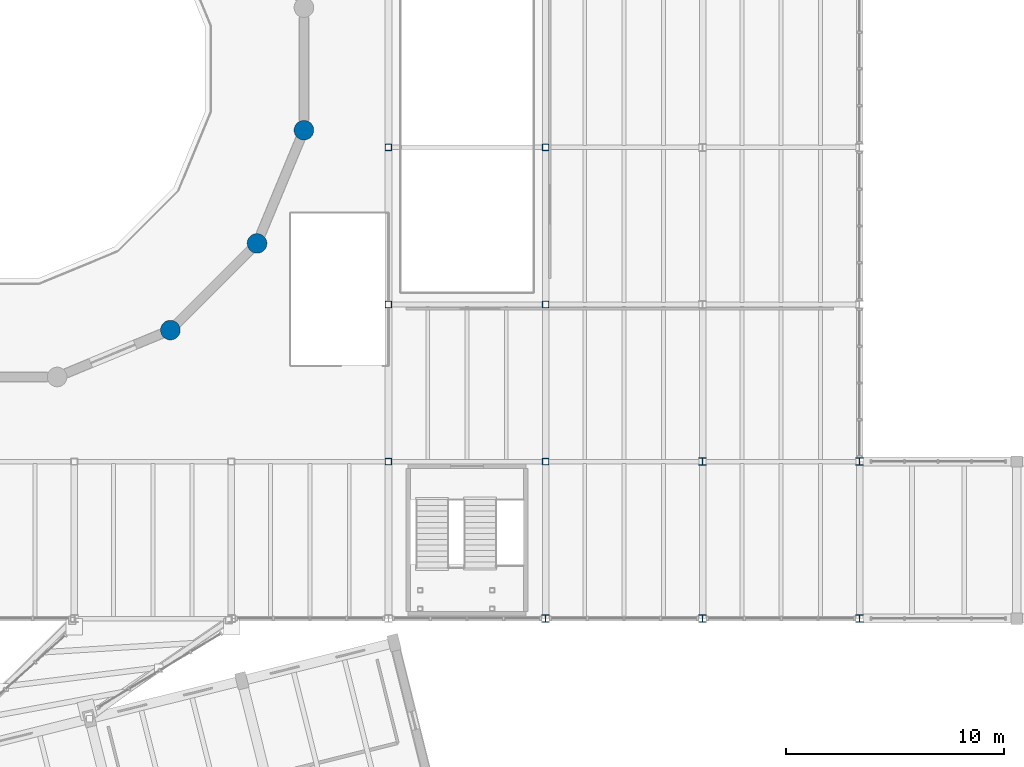
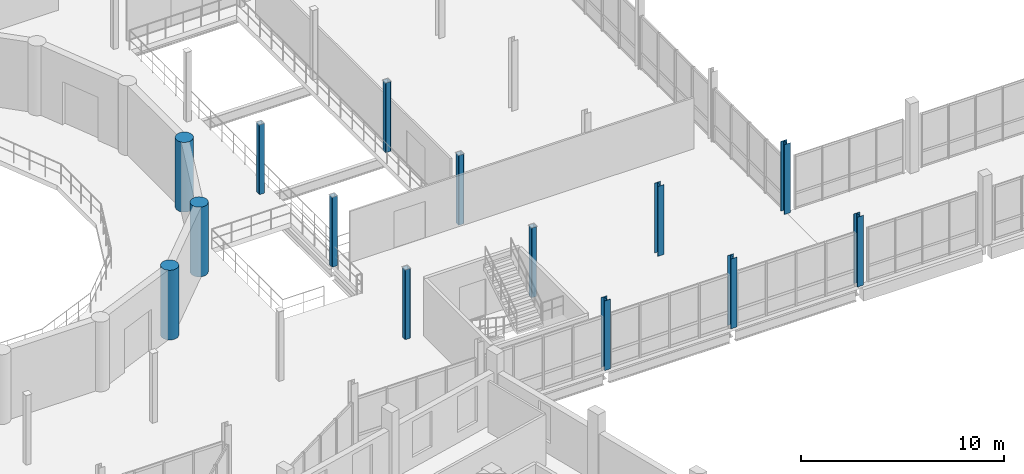
# One storey, part 7 of 72: 14 columns.
"""IFC4 building model written with IfcOpenShell, lengths in metres."""

from ifc_helpers import new_model, si_unit, direction, frame, origin, origin_2d, place, context, subcontext, project, spatial, hollow_rectangle, circle, i_section, extrude, material, material_profile, profile_set, type_object, element, save


model = new_model("IFC4")

# Units and contexts
model_context = context("Model", 3, precision=1e-05, world=origin(), true_north=direction((0.0, 1.0)))
body_context = subcontext(model_context, "Body", "Model", "MODEL_VIEW")
ifc_project = project(units=[si_unit("LENGTHUNIT", "METRE"), si_unit("AREAUNIT", "SQUARE_METRE"), si_unit("VOLUMEUNIT", "CUBIC_METRE"), si_unit("PLANEANGLEUNIT", "RADIAN"), si_unit("MASSUNIT", "GRAM", prefix="KILO")], contexts=[model_context])

# Site, building, storey
site_placement = place(None, origin())
site = spatial("IfcSite", under=ifc_project, at=site_placement, CompositionType="ELEMENT")
building_placement = place(site_placement, origin())
building = spatial("IfcBuilding", under=site, at=building_placement, Name="Qiaolan Assembly House", CompositionType="ELEMENT")
storey_placement = place(building_placement, frame((0.0, 0.0, 10.199951171875)))
storey = spatial("IfcBuildingStorey", under=building, at=storey_placement, Name="L02", CompositionType="ELEMENT", Elevation=10.199951171875)

# Columns
ifc_material_1 = material(Name="Concrete C50/60", Category="concrete")
ifc_material_profile_1 = material_profile(ifc_material_1, circle(Radius=0.449951171875, at=origin_2d()), Name="CIRC D900")
ifc_profile_set_1 = profile_set([ifc_material_profile_1], Name="Concrete C50/60")
column_type_1 = type_object("IfcColumnType", Name="COL-DRUM-D900", PredefinedType="COLUMN", material=ifc_profile_set_1)
for number, where, z_axis, x_axis, name in (
    (1, (76.400146484375, 49.226806640625, 0.0), (0.0, 0.0, 1.0), (1.0, 0.0, 0.0), "DC-03 chamber drum pier 14 L02"),
    (2, (80.373046875, 53.19970703125, 0.0), (0.0, 0.0, 1.0), (1.0, 0.0, 0.0), "DC-03 chamber drum pier 15 L02"),
    (3, (82.523193359375, 58.390625, 0.0), (0.0, 0.0, 1.0), (1.0, 0.0, 0.0), "DC-03 chamber drum pier 16 L02"),
):
    element("IfcColumn", number, at=place(storey_placement, frame(where, z_axis=z_axis, x_axis=x_axis)), inside=storey, type_object=column_type_1, Name=name, PredefinedType="COLUMN", context=body_context, shape_type="SweptSolid", body=[
        extrude(circle(Radius=0.449951171875, at=origin_2d()), origin(), (0.0, 0.0, 1.0), 4.199951171875),
    ])
ifc_material_2 = material(Name="Steel Q355B", Category="steel")
ifc_material_profile_2 = material_profile(ifc_material_2, i_section(OverallWidth=0.35009765625, OverallDepth=0.35009765625, WebThickness=0.011962890625, FlangeThickness=0.01904296875, FilletRadius=0.02001953125, at=origin_2d()), Name="HW 350x350x12x19")
ifc_profile_set_2 = profile_set([ifc_material_profile_2], Name="Steel Q355B")
column_type_2 = type_object("IfcColumnType", Name="COL-STL-HW350", PredefinedType="COLUMN", material=ifc_profile_set_2)
for number, where, z_axis, x_axis, name in (
    (4, (93.60009765625, 36.0, 0.0), (0.0, 0.0, 1.0), (1.0, 0.0, 0.0), "SC-02 hall column L02"),
    (5, (100.800048828125, 36.0, 0.0), (0.0, 0.0, 1.0), (1.0, 0.0, 0.0), "SC-02 hall column L02"),
    (6, (100.800048828125, 43.199951171875, 0.0), (0.0, 0.0, 1.0), (1.0, 0.0, 0.0), "SC-02 hall column L02"),
    (7, (108.0, 36.0, 0.0), (0.0, 0.0, 1.0), (1.0, 0.0, 0.0), "SC-02 hall column L02"),
    (8, (108.0, 43.199951171875, 0.0), (0.0, 0.0, 1.0), (1.0, 0.0, 0.0), "SC-02 hall column L02"),
):
    element("IfcColumn", number, at=place(storey_placement, frame(where, z_axis=z_axis, x_axis=x_axis)), inside=storey, type_object=column_type_2, Name=name, PredefinedType="COLUMN", context=body_context, shape_type="SweptSolid", body=[
        extrude(i_section(OverallWidth=0.35009765625, OverallDepth=0.35009765625, WebThickness=0.011962890625, FlangeThickness=0.01904296875, FilletRadius=0.02001953125, at=origin_2d()), origin(), (0.0, 0.0, 1.0), 4.199951171875),
    ])
ifc_material_profile_3 = material_profile(ifc_material_2, hollow_rectangle(XDim=0.300048828125, YDim=0.300048828125, WallThickness=0.011962890625, InnerFilletRadius=0.011962890625, OuterFilletRadius=0.02392578125, at=origin_2d()), Name="SHS 300x300x12")
ifc_profile_set_3 = profile_set([ifc_material_profile_3], Name="Steel Q355B")
column_type_3 = type_object("IfcColumnType", Name="COL-STL-SHS300", PredefinedType="COLUMN", material=ifc_profile_set_3)
for number, where, z_axis, x_axis, name in (
    (9, (86.39990234375, 43.199951171875, 0.0), (0.0, 0.0, 1.0), (1.0, 0.0, 0.0), "SC-05 hall column L02"),
    (10, (86.39990234375, 50.39990234375, 0.0), (0.0, 0.0, 1.0), (1.0, 0.0, 0.0), "SC-05 hall column L02"),
    (11, (86.39990234375, 57.60009765625, 0.0), (0.0, 0.0, 1.0), (1.0, 0.0, 0.0), "SC-05 hall column L02"),
    (12, (93.60009765625, 43.199951171875, 0.0), (0.0, 0.0, 1.0), (1.0, 0.0, 0.0), "SC-05 hall column L02"),
    (13, (93.60009765625, 50.39990234375, 0.0), (0.0, 0.0, 1.0), (1.0, 0.0, 0.0), "SC-05 hall column L02"),
    (14, (93.60009765625, 57.60009765625, 0.0), (0.0, 0.0, 1.0), (1.0, 0.0, 0.0), "SC-05 hall column L02"),
):
    element("IfcColumn", number, at=place(storey_placement, frame(where, z_axis=z_axis, x_axis=x_axis)), inside=storey, type_object=column_type_3, Name=name, PredefinedType="COLUMN", context=body_context, shape_type="SweptSolid", body=[
        extrude(hollow_rectangle(XDim=0.300048828125, YDim=0.300048828125, WallThickness=0.011962890625, InnerFilletRadius=0.011962890625, OuterFilletRadius=0.02392578125, at=origin_2d()), origin(), (0.0, 0.0, 1.0), 4.199951171875),
    ])

save(model, "model.ifc")
